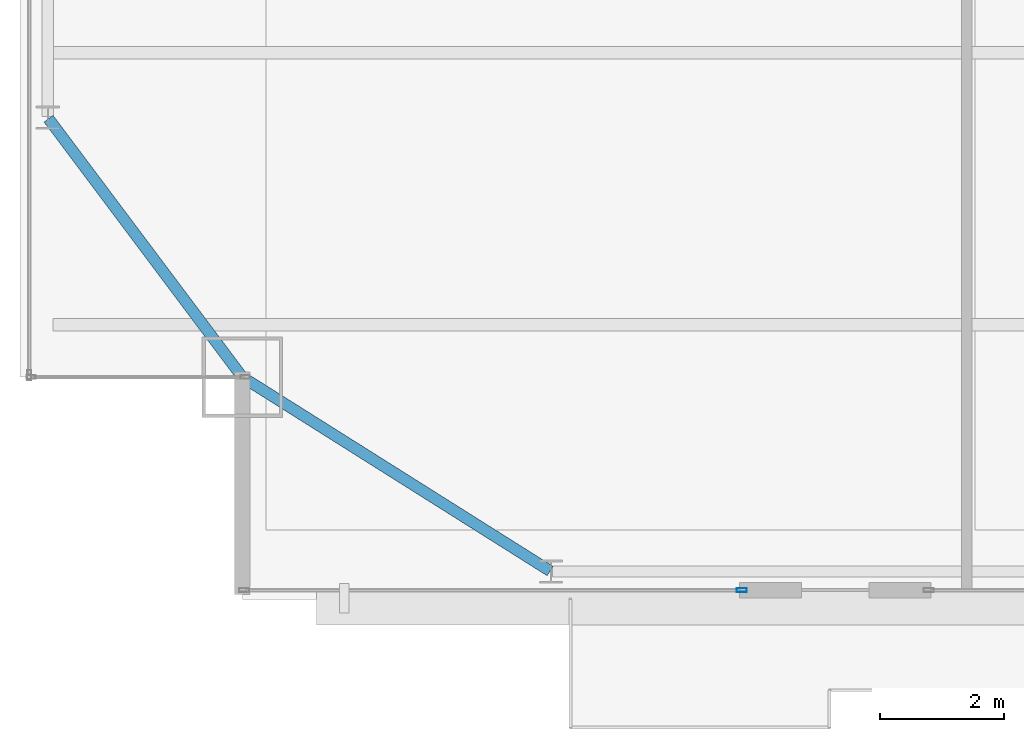
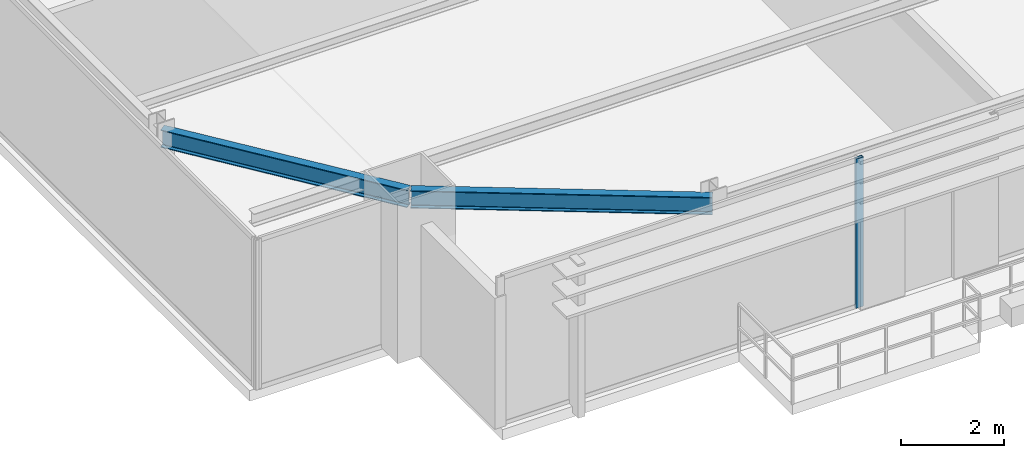
# One storey, part 5 of 31: 2 beams, 1 member, 1 element without a shape of its own.
"""IFC4 building model written with IfcOpenShell, lengths in metres."""

from ifc_helpers import new_model, si_unit, direction, frame, origin, origin_2d, place, context, subcontext, project, spatial, hollow_rectangle, i_section, extrude, source, transform, mapped, material, layer, layer_set, material_profile, profile_set, type_object, type_shapes, element, aggregate, save


model = new_model("IFC4")

# Units and contexts
model_context = context("Model", 3, precision=1e-05, world=origin(), true_north=direction((0.0, 1.0)))
body_context = subcontext(model_context, "Body", "Model", "MODEL_VIEW")
ifc_project = project(units=[si_unit("LENGTHUNIT", "METRE"), si_unit("AREAUNIT", "SQUARE_METRE"), si_unit("VOLUMEUNIT", "CUBIC_METRE"), si_unit("PLANEANGLEUNIT", "RADIAN"), si_unit("MASSUNIT", "GRAM", prefix="KILO")], contexts=[model_context])

# Site, building, storey
site_placement = place(None, origin())
site = spatial("IfcSite", under=ifc_project, at=site_placement, CompositionType="ELEMENT")
building_placement = place(site_placement, origin())
building = spatial("IfcBuilding", under=site, at=building_placement, Name="Varnel Quay Broadcast Tower", CompositionType="ELEMENT")
storey_placement = place(building_placement, frame((0.0, 0.0, 153.39990234375)))
storey = spatial("IfcBuildingStorey", under=building, at=storey_placement, Name="L37", CompositionType="ELEMENT", Elevation=153.39990234375)

# Beams
ifc_material_1 = material(Name="Structural Steel CSA G40.21 350W", Category="steel")
ifc_material_profile_1 = material_profile(ifc_material_1, i_section(OverallWidth=0.180908203125, OverallDepth=0.4169921875, WebThickness=0.010986328125, FlangeThickness=0.018310546875, FilletRadius=0.011962890625, at=origin_2d()), Name="W410X85")
ifc_profile_set_1 = profile_set([ifc_material_profile_1], Name="Structural Steel CSA G40.21 350W")
beam_type = type_object("IfcBeamType", Name="Beam_W410X85", PredefinedType="SPANDREL", material=ifc_profile_set_1)
shared_shape_1 = source(origin(), body_context, "Body", "SweptSolid", [
    extrude(i_section(OverallWidth=0.180908203125, OverallDepth=0.4169921875, WebThickness=0.010986328125, FlangeThickness=0.018310546875, FilletRadius=0.011962890625, at=origin_2d()), origin(), (0.0, 0.0, 1.0), 5.869384765625),
])
beam_1_placement = place(storey_placement, frame((10.616943359375, 10.789306640625, 3.341552734375), z_axis=(0.846088328928, -0.533042718412, 0.0), x_axis=(0.533042718412, 0.846088328928, 0.0)))
element("IfcBeam", 1, at=beam_1_placement, inside=storey, type_object=beam_type, Name="L37 South Spandrel MC-SW-TC-S1", PredefinedType="SPANDREL", context=body_context, shape_type="MappedRepresentation", body=[
    mapped(shared_shape_1, transform((0.0, 0.0, 0.0), x_axis=(1.0, 0.0, 0.0), y_axis=(0.0, 1.0, 0.0), z_axis=(0.0, 0.0, 1.0), scale=1.0)),
])
shared_shape_2 = source(origin(), body_context, "Body", "SweptSolid", [
    extrude(i_section(OverallWidth=0.180908203125, OverallDepth=0.4169921875, WebThickness=0.010986328125, FlangeThickness=0.018310546875, FilletRadius=0.011962890625, at=origin_2d()), origin(), (0.0, 0.0, 1.0), 5.2099609375),
])
type_shapes(beam_type, [shared_shape_1, shared_shape_2])
beam_2_placement = place(storey_placement, frame((10.587890625, 10.81591796875, 3.341552734375), z_axis=(-0.6, 0.8, 0.0), x_axis=(-0.8, -0.6, 0.0)))
element("IfcBeam", 2, at=beam_2_placement, inside=storey, type_object=beam_type, Name="L37 West Spandrel MC-SW-TC-W1", PredefinedType="SPANDREL", context=body_context, shape_type="MappedRepresentation", body=[
    mapped(shared_shape_2, transform((0.0, 0.0, 0.0), x_axis=(1.0, 0.0, 0.0), y_axis=(0.0, 1.0, 0.0), z_axis=(0.0, 0.0, 1.0), scale=1.0)),
])

# Curtain wall, member
ifc_material_2 = material(Name="Anodised Bronze Aluminium 6063-T6", Category="aluminium")
ifc_layer = layer(ifc_material_2, 0.18994140625, Name="Anodised Bronze Aluminium 6063-T6")
ifc_layer_set = layer_set([ifc_layer], Name="Anodised Bronze Aluminium 6063-T6")
curtain_wall_type = type_object("IfcCurtainWallType", Name="CW_UpperTower", PredefinedType="NOTDEFINED", material=ifc_layer_set)
curtain_wall_placement = place(storey_placement, origin())
curtain_wall = element("IfcCurtainWall", 3, at=curtain_wall_placement, inside=storey, type_object=curtain_wall_type, Name="L37 South Unitised Curtain Wall 1", PredefinedType="NOTDEFINED")
ifc_material_profile_2 = material_profile(ifc_material_2, hollow_rectangle(XDim=0.06494140625, YDim=0.1650390625, WallThickness=0.00341796875, at=origin_2d()), Name="ALU65X165X3.5")
ifc_profile_set_2 = profile_set([ifc_material_profile_2], Name="Anodised Bronze Aluminium 6063-T6")
member_type = type_object("IfcMemberType", Name="Mull_CWS-03", PredefinedType="MULLION", material=ifc_profile_set_2)
shared_shape_3 = source(origin(), body_context, "Body", "SweptSolid", [
    extrude(hollow_rectangle(XDim=0.06494140625, YDim=0.1650390625, WallThickness=0.00341796875, at=origin_2d()), origin(), (0.0, 0.0, 1.0), 3.550048828125),
])
type_shapes(member_type, [shared_shape_3])
member_placement = place(storey_placement, frame((18.6875, 7.35009765625, 0.0), z_axis=(0.0, 0.0, 1.0), x_axis=(0.0, 1.0, 0.0)))
member = element("IfcMember", 4, at=member_placement, type_object=member_type, Name="CWS-03 mullion 2", PredefinedType="MULLION", context=body_context, shape_type="MappedRepresentation", body=[
    mapped(shared_shape_3, transform((0.0, 0.0, 0.0), x_axis=(1.0, 0.0, 0.0), y_axis=(0.0, 1.0, 0.0), z_axis=(0.0, 0.0, 1.0), scale=1.0)),
])
aggregate(curtain_wall, [member])

save(model, "model.ifc")
